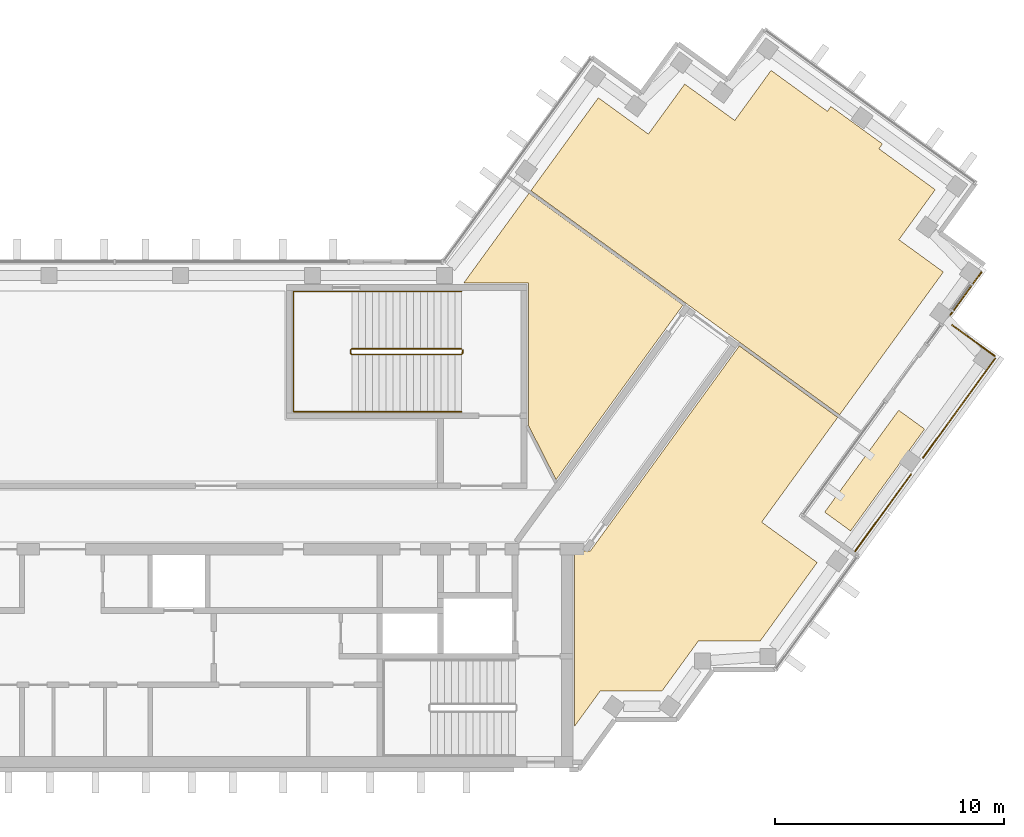
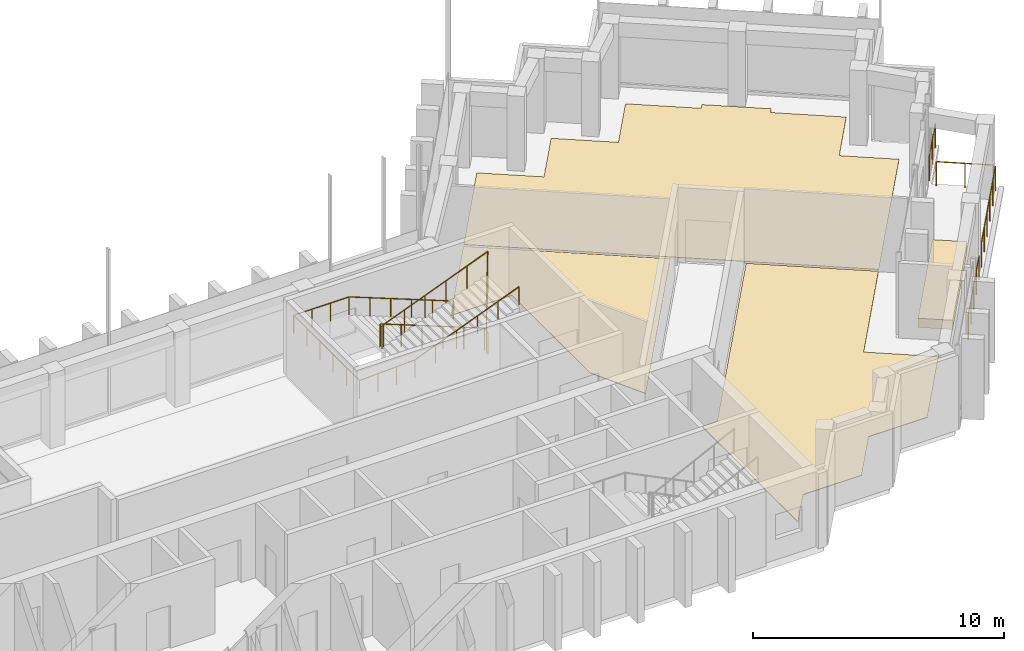
# One storey, part 14 of 14: 6 railings, 4 coverings.
"""IFC4 building model written with IfcOpenShell, lengths in metres."""

from ifc_helpers import new_model, si_unit, direction, frame, origin, origin_2d, place, context, subcontext, project, spatial, polyline, circle, outline, extrude, material, layer, layer_set, type_object, element, save


model = new_model("IFC4")

# Units and contexts
model_context = context("Model", 3, precision=1e-05, world=origin(), true_north=direction((0.0, 1.0)))
body_context = subcontext(model_context, "Body", "Model", "MODEL_VIEW")
ifc_project = project(units=[si_unit("LENGTHUNIT", "METRE"), si_unit("AREAUNIT", "SQUARE_METRE"), si_unit("VOLUMEUNIT", "CUBIC_METRE"), si_unit("PLANEANGLEUNIT", "RADIAN"), si_unit("MASSUNIT", "GRAM", prefix="KILO")], contexts=[model_context])

# Site, building, storey
site_placement = place(None, origin())
site = spatial("IfcSite", under=ifc_project, at=site_placement, CompositionType="ELEMENT")
building_placement = place(site_placement, origin())
building = spatial("IfcBuilding", under=site, at=building_placement, Name="Quipu Civic Tower", CompositionType="ELEMENT")
storey_placement = place(building_placement, frame((0.0, 0.0, 311.0)))
storey = spatial("IfcBuildingStorey", under=building, at=storey_placement, Name="L72", CompositionType="ELEMENT", Elevation=311.0)

# Coverings
ifc_material_1 = material(Name="Carpet tile on raised access floor")
ifc_layer_1 = layer(ifc_material_1, 0.02001953125)
ifc_layer_set_1 = layer_set([ifc_layer_1], Name="Carpet tile on raised access floor")
covering_type_1 = type_object("IfcCoveringType", Name="Carpet tile floor finish 20", PredefinedType="FLOORING", material=ifc_layer_set_1)
covering_1_placement = place(storey_placement, origin())
element("IfcCovering", 1, at=covering_1_placement, inside=storey, type_object=covering_type_1, Name="Carpet tile floor finish 20", PredefinedType="FLOORING", context=body_context, shape_type="SweptSolid", body=[
    extrude(outline(polyline([(18.172119140625, 14.20703125), (21.116943359375, 18.260986328125), (23.301025390625, 16.675048828125), (24.887939453125, 18.85791015625), (27.073974609375, 17.27197265625), (28.658935546875, 19.455078125), (31.116943359375, 17.6708984375), (31.27099609375, 17.8798828125), (33.52197265625, 16.2451171875), (33.3701171875, 16.032958984375), (35.826904296875, 14.248046875), (34.240966796875, 12.06396484375), (36.181884765625, 10.653076171875), (31.65087890625, 4.416015625), (18.172119140625, 14.20703125)])), origin(), (0.0, 0.0, 1.0), 0.02001953125),
])
ifc_material_2 = material(Name="Ceramic floor tile")
ifc_layer_2 = layer(ifc_material_2, 0.030029296875)
ifc_layer_set_2 = layer_set([ifc_layer_2], Name="Ceramic floor tile")
covering_type_2 = type_object("IfcCoveringType", Name="Ceramic tile floor finish 30", PredefinedType="FLOORING", material=ifc_layer_set_2)
covering_2_placement = place(storey_placement, origin())
element("IfcCovering", 2, at=covering_2_placement, inside=storey, type_object=covering_type_2, Name="Ceramic tile floor finish 30", PredefinedType="FLOORING", context=body_context, shape_type="SweptSolid", body=[
    extrude(outline(polyline([(15.238037109375, 10.169921875), (18.089111328125, 14.093994140625), (24.81201171875, 9.2109375), (19.27197265625, 1.583984375), (18.070068359375, 3.94189453125), (18.070068359375, 10.1689453125), (15.238037109375, 10.169921875)])), origin(), (0.0, 0.0, 1.0), 0.030029296875),
])
covering_3_placement = place(storey_placement, origin())
element("IfcCovering", 3, at=covering_3_placement, inside=storey, type_object=covering_type_2, Name="Ceramic tile floor finish 30", PredefinedType="FLOORING", context=body_context, shape_type="SweptSolid", body=[
    extrude(outline(polyline([(20.070068359375, -9.195068359375), (20.070068359375, -1.52001953125), (20.77490234375, -1.51904296875), (27.27197265625, 7.423095703125), (31.568115234375, 4.302978515625), (28.248046875, -0.26806640625), (30.674072265625, -2.031982421875), (28.181884765625, -5.4609375), (25.48193359375, -5.4619140625), (23.89501953125, -7.64599609375), (21.196044921875, -7.64599609375), (20.070068359375, -9.195068359375)])), origin(), (0.0, 0.0, 1.0), 0.030029296875),
])
ifc_material_3 = material(Name="Planting soil on drainage board")
ifc_layer_3 = layer(ifc_material_3, 0.449951171875)
ifc_layer_set_3 = layer_set([ifc_layer_3], Name="Planting soil on drainage board")
covering_type_3 = type_object("IfcCoveringType", Name="Planted terrace build-up", PredefinedType="FLOORING", material=ifc_layer_set_3)
covering_4_placement = place(storey_placement, origin())
element("IfcCovering", 4, at=covering_4_placement, inside=storey, type_object=covering_type_3, Name="Planted terrace L72 bed 1", PredefinedType="FLOORING", context=body_context, shape_type="SweptSolid", body=[
    extrude(outline(polyline([(34.231201171875, 4.6162109375), (35.364013671875, 3.793212890625), (32.13134765625, -0.656005859375), (30.998779296875, 0.1669921875), (34.231201171875, 4.6162109375)])), origin(), (0.0, 0.0, 1.0), 0.449951171875),
])

# Railings
ifc_material_4 = material(Name="Stainless steel", Category="steel")
railing_type_1 = type_object("IfcRailingType", Name="Stair guard 1100", PredefinedType="GUARDRAIL", material=ifc_material_4)
railing_1_placement = place(storey_placement, frame((15.14990234375, 7.300048828125, 0.11767578125)))
element("IfcRailing", 5, at=railing_1_placement, inside=storey, type_object=railing_type_1, Name="Stair 4 guard", PredefinedType="GUARDRAIL", context=body_context, shape_type="SweptSolid", body=[
    extrude(circle(Radius=0.02392578125, at=origin_2d()), frame((0.0, 0.0, 1.076171875), z_axis=(-0.930970042603, 0.0, 0.365095576219), x_axis=(0.0, -1.0, 0.0)), (0.0, 0.0, 1.0), 5.15576171875),
    extrude(circle(Radius=0.02392578125, at=origin_2d()), frame((-4.7998046875, 0.0, 2.95849609375), z_axis=(-0.707106781187, -0.707106781187, 0.0), x_axis=(0.707106781187, -0.707106781187, 0.0)), (0.0, 0.0, 1.0), 0.07080078125),
    extrude(circle(Radius=0.02392578125, at=origin_2d()), frame((-4.849853515625, -0.050048828125, 2.95849609375), z_axis=(0.0, -1.0, 0.0), x_axis=(1.0, 0.0, 0.0)), (0.0, 0.0, 1.0), 0.14990234375),
    extrude(circle(Radius=0.02392578125, at=origin_2d()), frame((-4.849853515625, -0.199951171875, 2.95849609375), z_axis=(0.364463019033, -0.364463019033, 0.856932561824), x_axis=(0.707106781187, 0.707106781187, 0.0)), (0.0, 0.0, 1.0), 0.13720703125),
    extrude(circle(Radius=0.02392578125, at=origin_2d()), frame((-4.7998046875, -0.25, 3.076171875), z_axis=(0.930970042603, 0.0, 0.365095576219), x_axis=(0.0, 1.0, 0.0)), (0.0, 0.0, 1.0), 5.15576171875),
    extrude(circle(Radius=0.02392578125, at=origin_2d()), frame((0.0, -0.25, 4.95849609375), z_axis=(0.012495627992, 0.049921557685, -0.998674970829), x_axis=(-0.970072785993, 0.242814311512, 0.0)), (0.0, 0.0, 1.0), 4.00537109375),
    extrude(circle(Radius=0.02392578125, at=origin_2d()), frame((0.050048828125, -0.050048828125, 0.95849609375), z_axis=(0.0, -1.0, 0.0), x_axis=(1.0, 0.0, 0.0)), (0.0, 0.0, 1.0), 0.14990234375),
    extrude(circle(Radius=0.02099609375, at=origin_2d()), origin(), (0.0, 0.0, 1.0), 1.052001953125),
    extrude(circle(Radius=0.02099609375, at=origin_2d()), frame((-0.9599609375, 0.0, 0.37646484375)), (0.0, 0.0, 1.0), 1.052001953125),
    extrude(circle(Radius=0.02099609375, at=origin_2d()), frame((-1.919921875, 0.0, 0.7529296875)), (0.0, 0.0, 1.0), 1.052001953125),
    extrude(circle(Radius=0.02099609375, at=origin_2d()), frame((-2.8798828125, 0.0, 1.12939453125)), (0.0, 0.0, 1.0), 1.052001953125),
    extrude(circle(Radius=0.02099609375, at=origin_2d()), frame((-3.83984375, 0.0, 1.505859375)), (0.0, 0.0, 1.0), 1.052001953125),
    extrude(circle(Radius=0.02099609375, at=origin_2d()), frame((-4.7998046875, 0.0, 1.88232421875)), (0.0, 0.0, 1.0), 1.052001953125),
    extrude(circle(Radius=0.02099609375, at=origin_2d()), frame((-4.849853515625, -0.050048828125, 1.88232421875)), (0.0, 0.0, 1.0), 1.052001953125),
    extrude(circle(Radius=0.02099609375, at=origin_2d()), frame((-4.849853515625, -0.199951171875, 1.88232421875)), (0.0, 0.0, 1.0), 1.052001953125),
    extrude(circle(Radius=0.02099609375, at=origin_2d()), frame((-4.7998046875, -0.25, 2.0)), (0.0, 0.0, 1.0), 1.052001953125),
    extrude(circle(Radius=0.02099609375, at=origin_2d()), frame((-3.83984375, -0.25, 2.37646484375)), (0.0, 0.0, 1.0), 1.052001953125),
    extrude(circle(Radius=0.02099609375, at=origin_2d()), frame((-2.8798828125, -0.25, 2.7529296875)), (0.0, 0.0, 1.0), 1.052001953125),
    extrude(circle(Radius=0.02099609375, at=origin_2d()), frame((-1.919921875, -0.25, 3.12939453125)), (0.0, 0.0, 1.0), 1.052001953125),
    extrude(circle(Radius=0.02099609375, at=origin_2d()), frame((-0.9599609375, -0.25, 3.505859375)), (0.0, 0.0, 1.0), 1.052001953125),
    extrude(circle(Radius=0.02099609375, at=origin_2d()), frame((0.0, -0.25, 3.88232421875)), (0.0, 0.0, 1.0), 1.052001953125),
    extrude(circle(Radius=0.02099609375, at=origin_2d()), frame((0.012451171875, -0.199951171875, 2.88232421875)), (0.0, 0.0, 1.0), 1.052001953125),
    extrude(circle(Radius=0.02099609375, at=origin_2d()), frame((0.02490234375, -0.14990234375, 1.88232421875)), (0.0, 0.0, 1.0), 1.052001953125),
    extrude(circle(Radius=0.02099609375, at=origin_2d()), frame((0.03759765625, -0.10009765625, 0.88232421875)), (0.0, 0.0, 1.0), 1.052001953125),
    extrude(circle(Radius=0.02099609375, at=origin_2d()), frame((0.050048828125, -0.050048828125, -0.11767578125)), (0.0, 0.0, 1.0), 1.052001953125),
    extrude(circle(Radius=0.02099609375, at=origin_2d()), frame((0.050048828125, -0.199951171875, -0.11767578125)), (0.0, 0.0, 1.0), 1.052001953125),
])
ifc_material_5 = material(Name="Stainless steel", Category="steel")
railing_type_2 = type_object("IfcRailingType", Name="Stair handrail", PredefinedType="HANDRAIL", material=ifc_material_5)
railing_2_placement = place(storey_placement, frame((15.14990234375, 9.800048828125, 0.11767578125)))
element("IfcRailing", 6, at=railing_2_placement, inside=storey, type_object=railing_type_2, Name="Stair 4 handrail", PredefinedType="HANDRAIL", context=body_context, shape_type="SweptSolid", body=[
    extrude(circle(Radius=0.02392578125, at=origin_2d()), frame((0.0, 0.0, 0.8759765625), z_axis=(-0.930970042603, 0.0, 0.365095576219), x_axis=(0.0, -1.0, 0.0)), (0.0, 0.0, 1.0), 5.15576171875),
    extrude(circle(Radius=0.02392578125, at=origin_2d()), frame((-4.7998046875, 0.0, 2.75830078125), z_axis=(-1.0, 0.0, 0.0), x_axis=(0.0, -1.0, 0.0)), (0.0, 0.0, 1.0), 2.550048828125),
    extrude(circle(Radius=0.02392578125, at=origin_2d()), frame((-7.349853515625, 0.0, 2.75830078125), z_axis=(0.0, -1.0, 0.0), x_axis=(1.0, 0.0, 0.0)), (0.0, 0.0, 1.0), 5.25),
    extrude(circle(Radius=0.02392578125, at=origin_2d()), frame((-7.349853515625, -5.25, 2.75830078125), z_axis=(0.998936948642, 0.0, 0.04609742549), x_axis=(0.0, 1.0, 0.0)), (0.0, 0.0, 1.0), 2.552734375),
    extrude(circle(Radius=0.02392578125, at=origin_2d()), frame((-4.7998046875, -5.25, 2.8759765625), z_axis=(0.930970042603, 0.0, 0.365095576219), x_axis=(0.0, 1.0, 0.0)), (0.0, 0.0, 1.0), 5.15576171875),
    extrude(circle(Radius=0.02099609375, at=origin_2d()), origin(), (0.0, 0.0, 1.0), 0.851806640625),
    extrude(circle(Radius=0.02099609375, at=origin_2d()), frame((-0.9599609375, 0.0, 0.37646484375)), (0.0, 0.0, 1.0), 0.851806640625),
    extrude(circle(Radius=0.02099609375, at=origin_2d()), frame((-1.919921875, 0.0, 0.7529296875)), (0.0, 0.0, 1.0), 0.851806640625),
    extrude(circle(Radius=0.02099609375, at=origin_2d()), frame((-2.8798828125, 0.0, 1.12939453125)), (0.0, 0.0, 1.0), 0.851806640625),
    extrude(circle(Radius=0.02099609375, at=origin_2d()), frame((-3.83984375, 0.0, 1.505859375)), (0.0, 0.0, 1.0), 0.851806640625),
    extrude(circle(Radius=0.02099609375, at=origin_2d()), frame((-4.7998046875, 0.0, 1.88232421875)), (0.0, 0.0, 1.0), 0.851806640625),
    extrude(circle(Radius=0.02099609375, at=origin_2d()), frame((-5.64990234375, 0.0, 1.88232421875)), (0.0, 0.0, 1.0), 0.851806640625),
    extrude(circle(Radius=0.02099609375, at=origin_2d()), frame((-6.499755859375, 0.0, 1.88232421875)), (0.0, 0.0, 1.0), 0.851806640625),
    extrude(circle(Radius=0.02099609375, at=origin_2d()), frame((-7.349853515625, 0.0, 1.88232421875)), (0.0, 0.0, 1.0), 0.851806640625),
    extrude(circle(Radius=0.02099609375, at=origin_2d()), frame((-7.349853515625, -1.050048828125, 1.88232421875)), (0.0, 0.0, 1.0), 0.851806640625),
    extrude(circle(Radius=0.02099609375, at=origin_2d()), frame((-7.349853515625, -2.10009765625, 1.88232421875)), (0.0, 0.0, 1.0), 0.851806640625),
    extrude(circle(Radius=0.02099609375, at=origin_2d()), frame((-7.349853515625, -3.14990234375, 1.88232421875)), (0.0, 0.0, 1.0), 0.851806640625),
    extrude(circle(Radius=0.02099609375, at=origin_2d()), frame((-7.349853515625, -4.199951171875, 1.88232421875)), (0.0, 0.0, 1.0), 0.851806640625),
    extrude(circle(Radius=0.02099609375, at=origin_2d()), frame((-7.349853515625, -5.25, 1.88232421875)), (0.0, 0.0, 1.0), 0.851806640625),
    extrude(circle(Radius=0.02099609375, at=origin_2d()), frame((-6.499755859375, -5.25, 1.921630859375)), (0.0, 0.0, 1.0), 0.851806640625),
    extrude(circle(Radius=0.02099609375, at=origin_2d()), frame((-5.64990234375, -5.25, 1.960693359375)), (0.0, 0.0, 1.0), 0.851806640625),
    extrude(circle(Radius=0.02099609375, at=origin_2d()), frame((-4.7998046875, -5.25, 2.0)), (0.0, 0.0, 1.0), 0.851806640625),
    extrude(circle(Radius=0.02099609375, at=origin_2d()), frame((-3.83984375, -5.25, 2.37646484375)), (0.0, 0.0, 1.0), 0.851806640625),
    extrude(circle(Radius=0.02099609375, at=origin_2d()), frame((-2.8798828125, -5.25, 2.7529296875)), (0.0, 0.0, 1.0), 0.851806640625),
    extrude(circle(Radius=0.02099609375, at=origin_2d()), frame((-1.919921875, -5.25, 3.12939453125)), (0.0, 0.0, 1.0), 0.851806640625),
    extrude(circle(Radius=0.02099609375, at=origin_2d()), frame((-0.9599609375, -5.25, 3.505859375)), (0.0, 0.0, 1.0), 0.851806640625),
    extrude(circle(Radius=0.02099609375, at=origin_2d()), frame((0.0, -5.25, 3.88232421875)), (0.0, 0.0, 1.0), 0.851806640625),
])
ifc_material_6 = material(Name="Steel S275", Category="steel")
railing_type_3 = type_object("IfcRailingType", Name="Terrace guard G1", PredefinedType="GUARDRAIL", material=ifc_material_6)
railing_3_placement = place(storey_placement, frame((32.328857421875, -1.541015625, 0.0)))
element("IfcRailing", 7, at=railing_3_placement, inside=storey, type_object=railing_type_3, Name="Terrace guard L72.1", PredefinedType="GUARDRAIL", context=body_context, shape_type="SweptSolid", body=[
    extrude(circle(Radius=0.02490234375, at=origin_2d()), frame((0.0, 0.0, 1.1748046875), z_axis=(0.587793418234, 0.809011061408, 0.0), x_axis=(-0.809011061408, 0.587793418234, 0.0)), (0.0, 0.0, 1.0), 4.145263671875),
    extrude(circle(Radius=0.02490234375, at=origin_2d()), origin(), (0.0, 0.0, 1.0), 1.14990234375),
    extrude(circle(Radius=0.02490234375, at=origin_2d()), frame((0.609130859375, 0.83837890625, 0.0)), (0.0, 0.0, 1.0), 1.14990234375),
    extrude(circle(Radius=0.02490234375, at=origin_2d()), frame((1.21826171875, 1.6767578125, 0.0)), (0.0, 0.0, 1.0), 1.14990234375),
    extrude(circle(Radius=0.02490234375, at=origin_2d()), frame((1.827392578125, 2.51513671875, 0.0)), (0.0, 0.0, 1.0), 1.14990234375),
    extrude(circle(Radius=0.02490234375, at=origin_2d()), frame((2.4365234375, 3.353515625, 0.0)), (0.0, 0.0, 1.0), 1.14990234375),
])
railing_4_placement = place(storey_placement, frame((35.29443359375, 2.540771484375, 0.0)))
element("IfcRailing", 8, at=railing_4_placement, inside=storey, type_object=railing_type_3, Name="Terrace guard L72.2", PredefinedType="GUARDRAIL", context=body_context, shape_type="SweptSolid", body=[
    extrude(circle(Radius=0.02490234375, at=origin_2d()), frame((0.0, 0.0, 1.1748046875), z_axis=(0.587762255175, 0.809033702259, 0.0), x_axis=(-0.809033702259, 0.587762255175, 0.0)), (0.0, 0.0, 1.0), 5.3544921875),
    extrude(circle(Radius=0.02490234375, at=origin_2d()), origin(), (0.0, 0.0, 1.0), 1.14990234375),
    extrude(circle(Radius=0.02490234375, at=origin_2d()), frame((0.62939453125, 0.866455078125, 0.0)), (0.0, 0.0, 1.0), 1.14990234375),
    extrude(circle(Radius=0.02490234375, at=origin_2d()), frame((1.2587890625, 1.73291015625, 0.0)), (0.0, 0.0, 1.0), 1.14990234375),
    extrude(circle(Radius=0.02490234375, at=origin_2d()), frame((1.888427734375, 2.59912109375, 0.0)), (0.0, 0.0, 1.0), 1.14990234375),
    extrude(circle(Radius=0.02490234375, at=origin_2d()), frame((2.517822265625, 3.465576171875, 0.0)), (0.0, 0.0, 1.0), 1.14990234375),
    extrude(circle(Radius=0.02490234375, at=origin_2d()), frame((3.147216796875, 4.33203125, 0.0)), (0.0, 0.0, 1.0), 1.14990234375),
])
railing_5_placement = place(storey_placement, frame((38.424072265625, 6.984375, 0.0)))
element("IfcRailing", 9, at=railing_5_placement, inside=storey, type_object=railing_type_3, Name="Terrace guard L72.3", PredefinedType="GUARDRAIL", context=body_context, shape_type="SweptSolid", body=[
    extrude(circle(Radius=0.02490234375, at=origin_2d()), frame((0.0, 0.0, 1.1748046875), z_axis=(-0.808965535219, 0.587856073225, 0.0), x_axis=(-0.587856073225, -0.808965535219, 0.0)), (0.0, 0.0, 1.0), 2.300048828125),
    extrude(circle(Radius=0.02490234375, at=origin_2d()), origin(), (0.0, 0.0, 1.0), 1.14990234375),
    extrude(circle(Radius=0.02490234375, at=origin_2d()), frame((-0.93017578125, 0.676025390625, 0.0)), (0.0, 0.0, 1.0), 1.14990234375),
    extrude(circle(Radius=0.02490234375, at=origin_2d()), frame((-1.860595703125, 1.35205078125, 0.0)), (0.0, 0.0, 1.0), 1.14990234375),
])
railing_6_placement = place(storey_placement, frame((36.49267578125, 8.783447265625, 0.0)))
element("IfcRailing", 10, at=railing_6_placement, inside=storey, type_object=railing_type_3, Name="Terrace guard L72.4", PredefinedType="GUARDRAIL", context=body_context, shape_type="SweptSolid", body=[
    extrude(circle(Radius=0.02490234375, at=origin_2d()), frame((0.0, 0.0, 1.1748046875), z_axis=(0.587786599794, 0.809016015356, 0.0), x_axis=(-0.809016015356, 0.587786599794, 0.0)), (0.0, 0.0, 1.0), 2.2998046875),
    extrude(circle(Radius=0.02490234375, at=origin_2d()), origin(), (0.0, 0.0, 1.0), 1.14990234375),
    extrude(circle(Radius=0.02490234375, at=origin_2d()), frame((0.67578125, 0.93017578125, 0.0)), (0.0, 0.0, 1.0), 1.14990234375),
    extrude(circle(Radius=0.02490234375, at=origin_2d()), frame((1.351806640625, 1.860595703125, 0.0)), (0.0, 0.0, 1.0), 1.14990234375),
])

save(model, "model.ifc")
